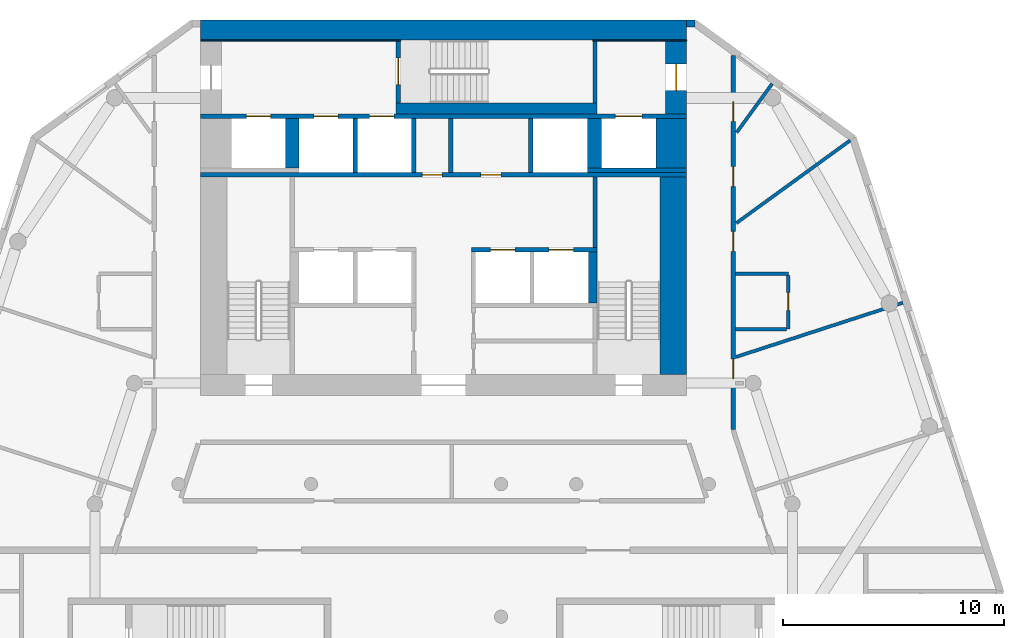
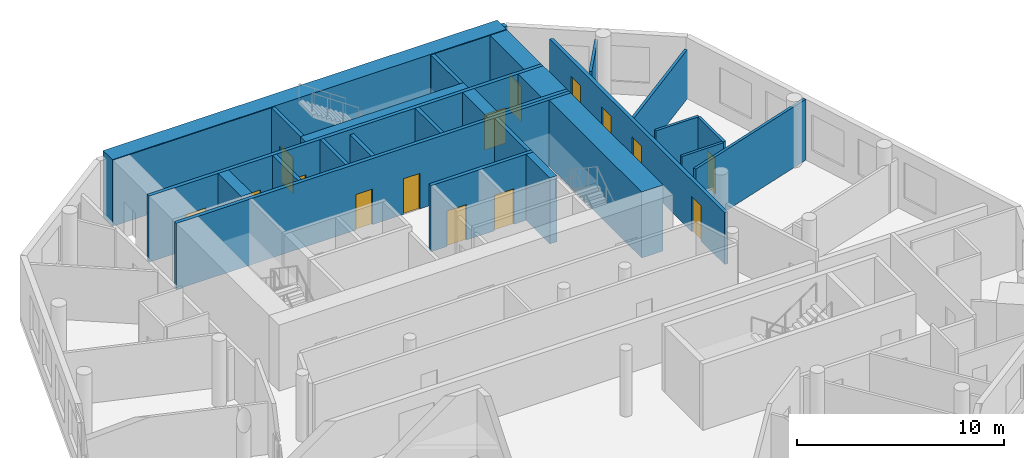
# One storey, part 6 of 9: 29 walls, 15 doors, 15 openings.
"""IFC4 building model written with IfcOpenShell, lengths in metres."""

from ifc_helpers import new_model, si_unit, direction, frame, frame_2d, origin, place, context, subcontext, project, spatial, rectangle, extrude, material, layer, layer_set, type_object, element, fill, save


model = new_model("IFC4")

# Units and contexts
model_context = context("Model", 3, precision=1e-05, world=origin(), true_north=direction((0.0, 1.0)))
body_context = subcontext(model_context, "Body", "Model", "MODEL_VIEW")
ifc_project = project(units=[si_unit("LENGTHUNIT", "METRE"), si_unit("AREAUNIT", "SQUARE_METRE"), si_unit("VOLUMEUNIT", "CUBIC_METRE"), si_unit("PLANEANGLEUNIT", "RADIAN"), si_unit("MASSUNIT", "GRAM", prefix="KILO")], contexts=[model_context])

# Site, building, storey
site_placement = place(None, origin())
site = spatial("IfcSite", under=ifc_project, at=site_placement, CompositionType="ELEMENT")
building_placement = place(site_placement, origin())
building = spatial("IfcBuilding", under=site, at=building_placement, Name="White Candle Pilgrim Tower", CompositionType="ELEMENT")
storey_placement = place(building_placement, frame((0.0, 0.0, 168.10009765625)))
storey = spatial("IfcBuildingStorey", under=building, at=storey_placement, Name="L38", CompositionType="ELEMENT", Elevation=168.10009765625)

# Walls
ifc_material_1 = material(Name="Concrete C60/75", Category="concrete")
ifc_layer_1 = layer(ifc_material_1, 1.39990234375)
ifc_layer_set_1 = layer_set([ifc_layer_1], Name="Core wall 1400 mm Concrete C60/75")
wall_type_1 = type_object("IfcWallType", Name="Core wall 1400 mm Concrete C60/75", PredefinedType="SHEAR", material=ifc_layer_set_1)
wall_1_placement = place(storey_placement, frame((80.300048828125, 81.300048828125, 0.0), z_axis=(0.0, 0.0, 1.0), x_axis=(0.0, 1.0, 0.0)))
element("IfcWall", 1, at=wall_1_placement, inside=storey, type_object=wall_type_1, Name="WL-L38-C43", PredefinedType="SHEAR", context=body_context, shape_type="SweptSolid", body=[
    extrude(rectangle(XDim=2.25, YDim=1.39990234375, at=frame_2d((1.125, 0.0))), origin(), (0.0, 0.0, 1.0), 3.89990234375),
])
ifc_layer_2 = layer(ifc_material_1, 0.199951171875)
ifc_layer_set_2 = layer_set([ifc_layer_2], Name="Core wall 200 mm Concrete C60/75")
wall_type_2 = type_object("IfcWallType", Name="Core wall 200 mm Concrete C60/75", PredefinedType="SHEAR", material=ifc_layer_set_2)
wall_2_placement = place(storey_placement, frame((76.5, 81.199951171875, 0.0), z_axis=(0.0, 0.0, 1.0), x_axis=(1.0, 0.0, 0.0)))
element("IfcWall", 2, at=wall_2_placement, inside=storey, type_object=wall_type_2, Name="WL-L38-C39", PredefinedType="SHEAR", context=body_context, shape_type="SweptSolid", body=[
    extrude(rectangle(XDim=4.5, YDim=0.199951171875, at=frame_2d((2.25, 0.0))), origin(), (0.0, 0.0, 1.0), 3.89990234375),
])

# Wall, openings, doors
wall_3_placement = place(storey_placement, frame((59.0, 83.64990234375, 0.0), z_axis=(0.0, 0.0, 1.0), x_axis=(1.0, 0.0, 0.0)))
wall_3 = element("IfcWall", 3, at=wall_3_placement, inside=storey, type_object=wall_type_2, Name="WL-L38-C44", PredefinedType="SHEAR", context=body_context, shape_type="SweptSolid", body=[
    extrude(rectangle(XDim=22.0, YDim=0.199951171875, at=frame_2d((11.0, 0.0))), origin(), (0.0, 0.0, 1.0), 3.89990234375),
])
opening_1_placement = place(wall_3_placement, frame((5.125, 0.0, 0.0)))
opening_1 = element("IfcOpeningElement", 4, at=opening_1_placement, cuts=wall_3, Name="Opening T11-018", PredefinedType="OPENING", context=body_context, shape_type="SweptSolid", body=[
    extrude(rectangle(XDim=1.10009765625, YDim=2.10009765625, at=frame_2d((0.550048828125, 1.050048828125))), frame((0.0, 0.10986328125, 0.0), z_axis=(0.0, -1.0, 0.0), x_axis=(1.0, 0.0, 0.0)), (0.0, 0.0, 1.0), 0.219970703125),
])
opening_2_placement = place(wall_3_placement, frame((7.64990234375, 0.0, 0.0)))
opening_2 = element("IfcOpeningElement", 5, at=opening_2_placement, cuts=wall_3, Name="Opening T11-019", PredefinedType="OPENING", context=body_context, shape_type="SweptSolid", body=[
    extrude(rectangle(XDim=1.10009765625, YDim=2.10009765625, at=frame_2d((0.550048828125, 1.050048828125))), frame((0.0, 0.10986328125, 0.0), z_axis=(0.0, -1.0, 0.0), x_axis=(1.0, 0.0, 0.0)), (0.0, 0.0, 1.0), 0.219970703125),
])
opening_3_placement = place(wall_3_placement, frame((18.77490234375, 0.0, 0.0)))
opening_3 = element("IfcOpeningElement", 6, at=opening_3_placement, cuts=wall_3, Name="Opening T11-020", PredefinedType="OPENING", context=body_context, shape_type="SweptSolid", body=[
    extrude(rectangle(XDim=1.199951171875, YDim=2.10009765625, at=frame_2d((0.60009765625, 1.050048828125))), frame((0.0, 0.10986328125, 0.0), z_axis=(0.0, -1.0, 0.0), x_axis=(1.0, 0.0, 0.0)), (0.0, 0.0, 1.0), 0.219970703125),
])
opening_4_placement = place(wall_3_placement, frame((2.074951171875, 0.0, 0.0)))
opening_4 = element("IfcOpeningElement", 7, at=opening_4_placement, cuts=wall_3, Name="Opening T11-021", PredefinedType="OPENING", context=body_context, shape_type="SweptSolid", body=[
    extrude(rectangle(XDim=1.10009765625, YDim=2.10009765625, at=frame_2d((0.550048828125, 1.050048828125))), frame((0.0, 0.10986328125, 0.0), z_axis=(0.0, -1.0, 0.0), x_axis=(1.0, 0.0, 0.0)), (0.0, 0.0, 1.0), 0.219970703125),
])
ifc_material_2 = material(Name="Stainless steel", Category="steel")
door_type_1 = type_object("IfcDoorType", Name="Lift landing door 1100 x 2100 EI 60", OperationType="DOUBLE_DOOR_SLIDING", PredefinedType="DOOR", material=ifc_material_2)
door_1_placement = place(opening_1_placement, origin())
door_1 = element("IfcDoor", 8, at=door_1_placement, inside=storey, type_object=door_type_1, Name="Door T11-018", OperationType="DOUBLE_DOOR_SLIDING", OverallHeight=2.10009765625, OverallWidth=1.10009765625, PredefinedType="DOOR", context=body_context, shape_type="SweptSolid", body=[
    extrude(rectangle(XDim=1.10009765625, YDim=2.10009765625, at=frame_2d((0.550048828125, 1.050048828125))), frame((0.0, 0.02490234375, 0.0), z_axis=(0.0, -1.0, 0.0), x_axis=(1.0, 0.0, 0.0)), (0.0, 0.0, 1.0), 0.050048828125),
])
fill(opening_1, door_1)
door_2_placement = place(opening_2_placement, origin())
door_2 = element("IfcDoor", 9, at=door_2_placement, inside=storey, type_object=door_type_1, Name="Door T11-019", OperationType="DOUBLE_DOOR_SLIDING", OverallHeight=2.10009765625, OverallWidth=1.10009765625, PredefinedType="DOOR", context=body_context, shape_type="SweptSolid", body=[
    extrude(rectangle(XDim=1.10009765625, YDim=2.10009765625, at=frame_2d((0.550048828125, 1.050048828125))), frame((0.0, 0.02490234375, 0.0), z_axis=(0.0, -1.0, 0.0), x_axis=(1.0, 0.0, 0.0)), (0.0, 0.0, 1.0), 0.050048828125),
])
fill(opening_2, door_2)
door_3_placement = place(opening_4_placement, origin())
door_3 = element("IfcDoor", 10, at=door_3_placement, inside=storey, type_object=door_type_1, Name="Door T11-021", OperationType="DOUBLE_DOOR_SLIDING", OverallHeight=2.10009765625, OverallWidth=1.10009765625, PredefinedType="DOOR", context=body_context, shape_type="SweptSolid", body=[
    extrude(rectangle(XDim=1.10009765625, YDim=2.10009765625, at=frame_2d((0.550048828125, 1.050048828125))), frame((0.0, 0.02490234375, 0.0), z_axis=(0.0, -1.0, 0.0), x_axis=(1.0, 0.0, 0.0)), (0.0, 0.0, 1.0), 0.050048828125),
])
fill(opening_4, door_3)
door_type_2 = type_object("IfcDoorType", Name="Lift landing door 1200 x 2100 E 60", OperationType="DOUBLE_DOOR_SLIDING", PredefinedType="DOOR", material=ifc_material_2)
door_4_placement = place(opening_3_placement, origin())
door_4 = element("IfcDoor", 11, at=door_4_placement, inside=storey, type_object=door_type_2, Name="Door T11-020", OperationType="DOUBLE_DOOR_SLIDING", OverallHeight=2.10009765625, OverallWidth=1.199951171875, PredefinedType="DOOR", context=body_context, shape_type="SweptSolid", body=[
    extrude(rectangle(XDim=1.199951171875, YDim=2.10009765625, at=frame_2d((0.60009765625, 1.050048828125))), frame((0.0, 0.02490234375, 0.0), z_axis=(0.0, -1.0, 0.0), x_axis=(1.0, 0.0, 0.0)), (0.0, 0.0, 1.0), 0.050048828125),
])
fill(opening_3, door_4)

# Wall, opening, door
ifc_layer_3 = layer(ifc_material_1, 0.949951171875)
ifc_layer_set_3 = layer_set([ifc_layer_3], Name="Core wall 950 mm Concrete C60/75")
wall_type_3 = type_object("IfcWallType", Name="Core wall 950 mm Concrete C60/75", PredefinedType="SHEAR", material=ifc_layer_set_3)
wall_4_placement = place(storey_placement, frame((80.52490234375, 83.75, 0.0), z_axis=(0.0, 0.0, 1.0), x_axis=(0.0, 1.0, 0.0)))
wall_4 = element("IfcWall", 12, at=wall_4_placement, inside=storey, type_object=wall_type_3, Name="WL-L38-C47", PredefinedType="SHEAR", context=body_context, shape_type="SweptSolid", body=[
    extrude(rectangle(XDim=3.300048828125, YDim=0.949951171875, at=frame_2d((1.64990234375, 0.0))), origin(), (0.0, 0.0, 1.0), 3.89990234375),
])
opening_5_placement = place(wall_4_placement, frame((1.050048828125, 0.0, 0.0)))
opening_5 = element("IfcOpeningElement", 13, at=opening_5_placement, cuts=wall_4, Name="Opening T11-009", PredefinedType="OPENING", context=body_context, shape_type="SweptSolid", body=[
    extrude(rectangle(XDim=1.199951171875, YDim=2.10009765625, at=frame_2d((0.60009765625, 1.050048828125))), frame((0.0, 0.48486328125, 0.0), z_axis=(0.0, -1.0, 0.0), x_axis=(1.0, 0.0, 0.0)), (0.0, 0.0, 1.0), 0.969970703125),
])
ifc_material_3 = material(Name="Steel door leaf", Category="steel")
door_type_3 = type_object("IfcDoorType", Name="Fire door 1200 x 2100 EI 30", OperationType="NOTDEFINED", PredefinedType="DOOR", material=ifc_material_3)
door_5_placement = place(opening_5_placement, origin())
door_5 = element("IfcDoor", 14, at=door_5_placement, inside=storey, type_object=door_type_3, Name="Door T11-009", OperationType="SINGLE_SWING_LEFT", OverallHeight=2.10009765625, OverallWidth=1.199951171875, PredefinedType="DOOR", context=body_context, shape_type="SweptSolid", body=[
    extrude(rectangle(XDim=1.199951171875, YDim=2.10009765625, at=frame_2d((0.60009765625, 1.050048828125))), frame((0.0, 0.02490234375, 0.0), z_axis=(0.0, -1.0, 0.0), x_axis=(1.0, 0.0, 0.0)), (0.0, 0.0, 1.0), 0.050048828125),
])
fill(opening_5, door_5)

# Wall, openings, doors
ifc_material_4 = material(Name="Gypsum board on steel studs", Category="steel")
ifc_layer_4 = layer(ifc_material_4, 0.199951171875)
ifc_layer_set_4 = layer_set([ifc_layer_4], Name="Corridor wall 200 mm EI 45")
wall_type_4 = type_object("IfcWallType", Name="Corridor wall 200 mm EI 45", PredefinedType="PARTITIONING", material=ifc_layer_set_4)
wall_5_placement = place(storey_placement, frame((83.10009765625, 86.396240234375, 0.0), z_axis=(0.0, 0.0, 1.0), x_axis=(0.0, -1.0, 0.0)))
wall_5 = element("IfcWall", 15, at=wall_5_placement, inside=storey, type_object=wall_type_4, Name="WL-L38-P004", PredefinedType="PARTITIONING", context=body_context, shape_type="SweptSolid", body=[
    extrude(rectangle(XDim=16.92333984375, YDim=0.199951171875, at=frame_2d((8.461669921875, 0.0))), origin(), (0.0, 0.0, 1.0), 3.0498046875),
])
opening_6_placement = place(wall_5_placement, frame((2.08837890625, 0.0, 0.0)))
opening_6 = element("IfcOpeningElement", 16, at=opening_6_placement, cuts=wall_5, Name="Opening T11-129", PredefinedType="OPENING", context=body_context, shape_type="SweptSolid", body=[
    extrude(rectangle(XDim=0.89990234375, YDim=2.10009765625, at=frame_2d((0.449951171875, 1.050048828125))), frame((0.0, 0.10986328125, 0.0), z_axis=(0.0, -1.0, 0.0), x_axis=(1.0, 0.0, 0.0)), (0.0, 0.0, 1.0), 0.219970703125),
])
opening_7_placement = place(wall_5_placement, frame((5.03369140625, 0.0, 0.0)))
opening_7 = element("IfcOpeningElement", 17, at=opening_7_placement, cuts=wall_5, Name="Opening T11-130", PredefinedType="OPENING", context=body_context, shape_type="SweptSolid", body=[
    extrude(rectangle(XDim=0.89990234375, YDim=2.10009765625, at=frame_2d((0.449951171875, 1.050048828125))), frame((0.0, 0.10986328125, 0.0), z_axis=(0.0, -1.0, 0.0), x_axis=(1.0, 0.0, 0.0)), (0.0, 0.0, 1.0), 0.219970703125),
])
opening_8_placement = place(wall_5_placement, frame((7.96044921875, 0.0, 0.0)))
opening_8 = element("IfcOpeningElement", 18, at=opening_8_placement, cuts=wall_5, Name="Opening T11-131", PredefinedType="OPENING", context=body_context, shape_type="SweptSolid", body=[
    extrude(rectangle(XDim=0.89990234375, YDim=2.10009765625, at=frame_2d((0.449951171875, 1.050048828125))), frame((0.0, 0.10986328125, 0.0), z_axis=(0.0, -1.0, 0.0), x_axis=(1.0, 0.0, 0.0)), (0.0, 0.0, 1.0), 0.219970703125),
])
opening_9_placement = place(wall_5_placement, frame((13.72705078125, 0.0, 0.0)))
opening_9 = element("IfcOpeningElement", 19, at=opening_9_placement, cuts=wall_5, Name="Opening T11-132", PredefinedType="OPENING", context=body_context, shape_type="SweptSolid", body=[
    extrude(rectangle(XDim=0.89990234375, YDim=2.10009765625, at=frame_2d((0.449951171875, 1.050048828125))), frame((0.0, 0.10986328125, 0.0), z_axis=(0.0, -1.0, 0.0), x_axis=(1.0, 0.0, 0.0)), (0.0, 0.0, 1.0), 0.219970703125),
])
door_type_4 = type_object("IfcDoorType", Name="Fire door 900 x 2100 EI 30", OperationType="NOTDEFINED", PredefinedType="DOOR", material=ifc_material_3)
door_6_placement = place(opening_6_placement, origin())
door_6 = element("IfcDoor", 20, at=door_6_placement, inside=storey, type_object=door_type_4, Name="Door T11-129", OperationType="SINGLE_SWING_LEFT", OverallHeight=2.10009765625, OverallWidth=0.89990234375, PredefinedType="DOOR", context=body_context, shape_type="SweptSolid", body=[
    extrude(rectangle(XDim=0.89990234375, YDim=2.10009765625, at=frame_2d((0.449951171875, 1.050048828125))), frame((0.0, 0.02490234375, 0.0), z_axis=(0.0, -1.0, 0.0), x_axis=(1.0, 0.0, 0.0)), (0.0, 0.0, 1.0), 0.050048828125),
])
fill(opening_6, door_6)
door_7_placement = place(opening_7_placement, origin())
door_7 = element("IfcDoor", 21, at=door_7_placement, inside=storey, type_object=door_type_4, Name="Door T11-130", OperationType="SINGLE_SWING_RIGHT", OverallHeight=2.10009765625, OverallWidth=0.89990234375, PredefinedType="DOOR", context=body_context, shape_type="SweptSolid", body=[
    extrude(rectangle(XDim=0.89990234375, YDim=2.10009765625, at=frame_2d((0.449951171875, 1.050048828125))), frame((0.0, 0.02490234375, 0.0), z_axis=(0.0, -1.0, 0.0), x_axis=(1.0, 0.0, 0.0)), (0.0, 0.0, 1.0), 0.050048828125),
])
fill(opening_7, door_7)
door_8_placement = place(opening_8_placement, origin())
door_8 = element("IfcDoor", 22, at=door_8_placement, inside=storey, type_object=door_type_4, Name="Door T11-131", OperationType="SINGLE_SWING_LEFT", OverallHeight=2.10009765625, OverallWidth=0.89990234375, PredefinedType="DOOR", context=body_context, shape_type="SweptSolid", body=[
    extrude(rectangle(XDim=0.89990234375, YDim=2.10009765625, at=frame_2d((0.449951171875, 1.050048828125))), frame((0.0, 0.02490234375, 0.0), z_axis=(0.0, -1.0, 0.0), x_axis=(1.0, 0.0, 0.0)), (0.0, 0.0, 1.0), 0.050048828125),
])
fill(opening_8, door_8)
door_9_placement = place(opening_9_placement, origin())
door_9 = element("IfcDoor", 23, at=door_9_placement, inside=storey, type_object=door_type_4, Name="Door T11-132", OperationType="SINGLE_SWING_LEFT", OverallHeight=2.10009765625, OverallWidth=0.89990234375, PredefinedType="DOOR", context=body_context, shape_type="SweptSolid", body=[
    extrude(rectangle(XDim=0.89990234375, YDim=2.10009765625, at=frame_2d((0.449951171875, 1.050048828125))), frame((0.0, 0.02490234375, 0.0), z_axis=(0.0, -1.0, 0.0), x_axis=(1.0, 0.0, 0.0)), (0.0, 0.0, 1.0), 0.050048828125),
])
fill(opening_9, door_9)

# Walls
ifc_material_5 = material(Name="Precast concrete C40/50", Category="concrete")
ifc_layer_5 = layer(ifc_material_5, 0.320068359375)
ifc_layer_set_5 = layer_set([ifc_layer_5], Name="Facade wall EW1 precast concrete C40/50 pier wall with timber-lined reveals")
wall_type_5 = type_object("IfcWallType", Name="Facade wall EW1 precast concrete C40/50 pier wall with timber-lined reveals", PredefinedType="SOLIDWALL", material=ifc_layer_set_5)
wall_6_placement = place(storey_placement, frame((81.385009765625, 87.840087890625, 0.0), z_axis=(0.0, 0.0, 1.0), x_axis=(-1.0, 0.0, 0.0)))
element("IfcWall", 24, at=wall_6_placement, inside=storey, type_object=wall_type_5, Name="Facade wall L38 N", PredefinedType="SOLIDWALL", context=body_context, shape_type="SweptSolid", body=[
    extrude(rectangle(XDim=0.385009765625, YDim=0.320068359375, at=frame_2d((0.1923828125, 0.0))), origin(), (0.0, 0.0, 1.0), 3.599853515625),
])
ifc_layer_6 = layer(ifc_material_4, 0.199951171875)
ifc_layer_set_6 = layer_set([ifc_layer_6], Name="Lobby wall 200 mm EI 60")
wall_type_6 = type_object("IfcWallType", Name="Lobby wall 200 mm EI 60", PredefinedType="PARTITIONING", material=ifc_layer_set_6)
wall_7_placement = place(storey_placement, frame((70.320068359375, 81.10009765625, 0.0), z_axis=(0.0, 0.0, 1.0), x_axis=(0.0, 1.0, 0.0)))
element("IfcWall", 25, at=wall_7_placement, inside=storey, type_object=wall_type_6, Name="WL-L38-C37", PredefinedType="PARTITIONING", context=body_context, shape_type="SweptSolid", body=[
    extrude(rectangle(XDim=2.449951171875, YDim=0.199951171875, at=frame_2d((1.22509765625, 0.0))), origin(), (0.0, 0.0, 1.0), 3.599853515625),
])
ifc_layer_7 = layer(ifc_material_4, 0.14990234375)
ifc_layer_set_7 = layer_set([ifc_layer_7], Name="Partition 150 mm EI 60")
wall_type_7 = type_object("IfcWallType", Name="Partition 150 mm EI 60", PredefinedType="PARTITIONING", material=ifc_layer_set_7)
wall_8_placement = place(storey_placement, frame((88.392822265625, 82.55078125, 0.0), z_axis=(0.0, 0.0, 1.0), x_axis=(-0.809018004504, -0.587783861966, 0.0)))
element("IfcWall", 26, at=wall_8_placement, inside=storey, type_object=wall_type_7, Name="WL-L38-P024", PredefinedType="PARTITIONING", context=body_context, shape_type="SweptSolid", body=[
    extrude(rectangle(XDim=6.364013671875, YDim=0.14990234375, at=frame_2d((3.18212890625, 0.0))), origin(), (0.0, 0.0, 1.0), 2.89990234375),
])
wall_9_placement = place(storey_placement, frame((90.77880859375, 75.207763671875, 0.0), z_axis=(0.0, 0.0, 1.0), x_axis=(-0.951053036923, -0.309027702575, 0.0)))
element("IfcWall", 27, at=wall_9_placement, inside=storey, type_object=wall_type_7, Name="WL-L38-P050", PredefinedType="PARTITIONING", context=body_context, shape_type="SweptSolid", body=[
    extrude(rectangle(XDim=7.944580078125, YDim=0.14990234375, at=frame_2d((3.97216796875, 0.0))), origin(), (0.0, 0.0, 1.0), 3.599853515625),
])
wall_10_placement = place(storey_placement, frame((83.199951171875, 76.5126953125, 0.0), z_axis=(0.0, 0.0, 1.0), x_axis=(1.0, 0.0, 0.0)))
element("IfcWall", 28, at=wall_10_placement, inside=storey, type_object=wall_type_7, Name="WL-L38-P051", PredefinedType="PARTITIONING", context=body_context, shape_type="SweptSolid", body=[
    extrude(rectangle(XDim=2.400146484375, YDim=0.14990234375, at=frame_2d((1.2001953125, 0.0))), origin(), (0.0, 0.0, 1.0), 3.599853515625),
])

# Wall, opening, door
wall_11_placement = place(storey_placement, frame((85.60009765625, 74.0126953125, 0.0), z_axis=(0.0, 0.0, 1.0), x_axis=(0.0, 1.0, 0.0)))
wall_11 = element("IfcWall", 29, at=wall_11_placement, inside=storey, type_object=wall_type_7, Name="WL-L38-P052", PredefinedType="PARTITIONING", context=body_context, shape_type="SweptSolid", body=[
    extrude(rectangle(XDim=2.425048828125, YDim=0.14990234375, at=frame_2d((1.21240234375, 0.0))), origin(), (0.0, 0.0, 1.0), 3.599853515625),
])
opening_10_placement = place(wall_11_placement, frame((0.85009765625, 0.0, 0.0)))
opening_10 = element("IfcOpeningElement", 30, at=opening_10_placement, cuts=wall_11, Name="Opening T11-119", PredefinedType="OPENING", context=body_context, shape_type="SweptSolid", body=[
    extrude(rectangle(XDim=0.800048828125, YDim=2.10009765625, at=frame_2d((0.39990234375, 1.050048828125))), frame((0.0, 0.0849609375, 0.0), z_axis=(0.0, -1.0, 0.0), x_axis=(1.0, 0.0, 0.0)), (0.0, 0.0, 1.0), 0.169921875),
])
door_type_5 = type_object("IfcDoorType", Name="Fire door 800 x 2100 EI 30", OperationType="NOTDEFINED", PredefinedType="DOOR", material=ifc_material_3)
door_10_placement = place(opening_10_placement, frame((0.800048828125, 0.0, 0.0), z_axis=(0.0, 0.0, 1.0), x_axis=(-1.0, 0.0, 0.0)))
door_10 = element("IfcDoor", 31, at=door_10_placement, inside=storey, type_object=door_type_5, Name="Door T11-119", OperationType="SINGLE_SWING_RIGHT", OverallHeight=2.10009765625, OverallWidth=0.800048828125, PredefinedType="DOOR", context=body_context, shape_type="SweptSolid", body=[
    extrude(rectangle(XDim=0.800048828125, YDim=2.10009765625, at=frame_2d((0.39990234375, 1.050048828125))), frame((0.0, 0.02490234375, 0.0), z_axis=(0.0, -1.0, 0.0), x_axis=(1.0, 0.0, 0.0)), (0.0, 0.0, 1.0), 0.050048828125),
])
fill(opening_10, door_10)

# Walls
wall_12_placement = place(storey_placement, frame((83.199951171875, 74.0126953125, 0.0), z_axis=(0.0, 0.0, 1.0), x_axis=(1.0, 0.0, 0.0)))
element("IfcWall", 32, at=wall_12_placement, inside=storey, type_object=wall_type_7, Name="WL-L38-P053", PredefinedType="PARTITIONING", context=body_context, shape_type="SweptSolid", body=[
    extrude(rectangle(XDim=2.324951171875, YDim=0.14990234375, at=frame_2d((1.16259765625, 0.0))), origin(), (0.0, 0.0, 1.0), 3.599853515625),
])
wall_13_placement = place(storey_placement, frame((84.86279296875, 85.115478515625, 0.0), z_axis=(0.0, 0.0, 1.0), x_axis=(-0.587734915063, -0.809053564121, 0.0)))
element("IfcWall", 33, at=wall_13_placement, inside=storey, type_object=wall_type_7, Name="WL-L38-P054", PredefinedType="PARTITIONING", context=body_context, shape_type="SweptSolid", body=[
    extrude(rectangle(XDim=2.725830078125, YDim=0.14990234375, at=frame_2d((1.36279296875, 0.0))), origin(), (0.0, 0.0, 1.0), 3.14990234375),
])
ifc_layer_8 = layer(ifc_material_1, 0.199951171875)
ifc_layer_set_8 = layer_set([ifc_layer_8], Name="Shaft wall 200 mm Concrete C60/75")
wall_type_8 = type_object("IfcWallType", Name="Shaft wall 200 mm Concrete C60/75", PredefinedType="SHEAR", material=ifc_layer_set_8)
for number, where, z_axis, x_axis, name in (
    (34, (66.0, 81.10009765625, 0.0), (0.0, 0.0, 1.0), (0.0, 1.0, 0.0), "WL-L38-C35"),
    (35, (68.64990234375, 81.10009765625, 0.0), (0.0, 0.0, 1.0), (0.0, 1.0, 0.0), "WL-L38-C36"),
    (36, (73.949951171875, 81.10009765625, 0.0), (0.0, 0.0, 1.0), (0.0, 1.0, 0.0), "WL-L38-C38"),
):
    element("IfcWall", number, at=place(storey_placement, frame(where, z_axis=z_axis, x_axis=x_axis)), inside=storey, type_object=wall_type_8, Name=name, PredefinedType="SHEAR", context=body_context, shape_type="SweptSolid", body=[
        extrude(rectangle(XDim=2.449951171875, YDim=0.199951171875, at=frame_2d((1.22509765625, 0.0))), origin(), (0.0, 0.0, 1.0), 3.89990234375),
    ])
ifc_layer_9 = layer(ifc_material_1, 0.60009765625)
ifc_layer_set_9 = layer_set([ifc_layer_9], Name="Shaft wall 600 mm Concrete C60/75")
wall_type_9 = type_object("IfcWallType", Name="Shaft wall 600 mm Concrete C60/75", PredefinedType="SHEAR", material=ifc_layer_set_9)
wall_14_placement = place(storey_placement, frame((63.14990234375, 81.300048828125, 0.0), z_axis=(0.0, 0.0, 1.0), x_axis=(0.0, 1.0, 0.0)))
element("IfcWall", 37, at=wall_14_placement, inside=storey, type_object=wall_type_9, Name="WL-L38-C41", PredefinedType="SHEAR", context=body_context, shape_type="SweptSolid", body=[
    extrude(rectangle(XDim=2.25, YDim=0.60009765625, at=frame_2d((1.125, 0.0))), origin(), (0.0, 0.0, 1.0), 3.89990234375),
])
ifc_layer_10 = layer(ifc_material_1, 0.64990234375)
ifc_layer_set_10 = layer_set([ifc_layer_10], Name="Shaft wall 650 mm Concrete C60/75")
wall_type_10 = type_object("IfcWallType", Name="Shaft wall 650 mm Concrete C60/75", PredefinedType="SHEAR", material=ifc_layer_set_10)
wall_15_placement = place(storey_placement, frame((76.824951171875, 81.300048828125, 0.0), z_axis=(0.0, 0.0, 1.0), x_axis=(0.0, 1.0, 0.0)))
element("IfcWall", 38, at=wall_15_placement, inside=storey, type_object=wall_type_10, Name="WL-L38-C42", PredefinedType="SHEAR", context=body_context, shape_type="SweptSolid", body=[
    extrude(rectangle(XDim=2.25, YDim=0.64990234375, at=frame_2d((1.125, 0.0))), origin(), (0.0, 0.0, 1.0), 3.89990234375),
])
ifc_layer_11 = layer(ifc_material_1, 1.199951171875)
ifc_layer_set_11 = layer_set([ifc_layer_11], Name="Stair shaft wall 1200 mm Concrete C60/75")
wall_type_11 = type_object("IfcWallType", Name="Stair shaft wall 1200 mm Concrete C60/75", PredefinedType="SHEAR", material=ifc_layer_set_11)
wall_16_placement = place(storey_placement, frame((80.39990234375, 71.949951171875, 0.0), z_axis=(0.0, 0.0, 1.0), x_axis=(0.0, 1.0, 0.0)))
element("IfcWall", 39, at=wall_16_placement, inside=storey, type_object=wall_type_11, Name="WL-L38-C17", PredefinedType="SHEAR", context=body_context, shape_type="SweptSolid", body=[
    extrude(rectangle(XDim=8.949951171875, YDim=1.199951171875, at=frame_2d((4.47509765625, 0.0))), origin(), (0.0, 0.0, 1.0), 3.89990234375),
])

# Wall, openings, doors
ifc_layer_12 = layer(ifc_material_1, 0.199951171875)
ifc_layer_set_12 = layer_set([ifc_layer_12], Name="Stair shaft wall 200 mm Concrete C60/75")
wall_type_12 = type_object("IfcWallType", Name="Stair shaft wall 200 mm Concrete C60/75", PredefinedType="SHEAR", material=ifc_layer_set_12)
wall_17_placement = place(storey_placement, frame((71.25, 77.60009765625, 0.0), z_axis=(0.0, 0.0, 1.0), x_axis=(1.0, 0.0, 0.0)))
wall_17 = element("IfcWall", 40, at=wall_17_placement, inside=storey, type_object=wall_type_12, Name="WL-L38-C30", PredefinedType="SHEAR", context=body_context, shape_type="SweptSolid", body=[
    extrude(rectangle(XDim=5.699951171875, YDim=0.199951171875, at=frame_2d((2.85009765625, 0.0))), origin(), (0.0, 0.0, 1.0), 3.89990234375),
])
opening_11_placement = place(wall_17_placement, frame((0.875, 0.0, 0.0)))
opening_11 = element("IfcOpeningElement", 41, at=opening_11_placement, cuts=wall_17, Name="Opening T11-016", PredefinedType="OPENING", context=body_context, shape_type="SweptSolid", body=[
    extrude(rectangle(XDim=1.10009765625, YDim=2.10009765625, at=frame_2d((0.550048828125, 1.050048828125))), frame((0.0, 0.10986328125, 0.0), z_axis=(0.0, -1.0, 0.0), x_axis=(1.0, 0.0, 0.0)), (0.0, 0.0, 1.0), 0.219970703125),
])
opening_12_placement = place(wall_17_placement, frame((3.52490234375, 0.0, 0.0)))
opening_12 = element("IfcOpeningElement", 42, at=opening_12_placement, cuts=wall_17, Name="Opening T11-017", PredefinedType="OPENING", context=body_context, shape_type="SweptSolid", body=[
    extrude(rectangle(XDim=1.10009765625, YDim=2.10009765625, at=frame_2d((0.550048828125, 1.050048828125))), frame((0.0, 0.10986328125, 0.0), z_axis=(0.0, -1.0, 0.0), x_axis=(1.0, 0.0, 0.0)), (0.0, 0.0, 1.0), 0.219970703125),
])
door_type_6 = type_object("IfcDoorType", Name="Lift landing door 1100 x 2100 E 60", OperationType="DOUBLE_DOOR_SLIDING", PredefinedType="DOOR", material=ifc_material_2)
door_11_placement = place(opening_11_placement, origin())
door_11 = element("IfcDoor", 43, at=door_11_placement, inside=storey, type_object=door_type_6, Name="Door T11-016", OperationType="DOUBLE_DOOR_SLIDING", OverallHeight=2.10009765625, OverallWidth=1.10009765625, PredefinedType="DOOR", context=body_context, shape_type="SweptSolid", body=[
    extrude(rectangle(XDim=1.10009765625, YDim=2.10009765625, at=frame_2d((0.550048828125, 1.050048828125))), frame((0.0, 0.02490234375, 0.0), z_axis=(0.0, -1.0, 0.0), x_axis=(1.0, 0.0, 0.0)), (0.0, 0.0, 1.0), 0.050048828125),
])
fill(opening_11, door_11)
door_12_placement = place(opening_12_placement, origin())
door_12 = element("IfcDoor", 44, at=door_12_placement, inside=storey, type_object=door_type_6, Name="Door T11-017", OperationType="DOUBLE_DOOR_SLIDING", OverallHeight=2.10009765625, OverallWidth=1.10009765625, PredefinedType="DOOR", context=body_context, shape_type="SweptSolid", body=[
    extrude(rectangle(XDim=1.10009765625, YDim=2.10009765625, at=frame_2d((0.550048828125, 1.050048828125))), frame((0.0, 0.02490234375, 0.0), z_axis=(0.0, -1.0, 0.0), x_axis=(1.0, 0.0, 0.0)), (0.0, 0.0, 1.0), 0.050048828125),
])
fill(opening_12, door_12)

# Wall
wall_18_placement = place(storey_placement, frame((76.85009765625, 77.699951171875, 0.0), z_axis=(0.0, 0.0, 1.0), x_axis=(0.0, 1.0, 0.0)))
element("IfcWall", 45, at=wall_18_placement, inside=storey, type_object=wall_type_12, Name="WL-L38-C32", PredefinedType="SHEAR", context=body_context, shape_type="SweptSolid", body=[
    extrude(rectangle(XDim=3.199951171875, YDim=0.199951171875, at=frame_2d((1.60009765625, 0.0))), origin(), (0.0, 0.0, 1.0), 3.89990234375),
])

# Wall, openings, doors
wall_19_placement = place(storey_placement, frame((59.0, 81.0, 0.0), z_axis=(0.0, 0.0, 1.0), x_axis=(1.0, 0.0, 0.0)))
wall_19 = element("IfcWall", 46, at=wall_19_placement, inside=storey, type_object=wall_type_12, Name="WL-L38-C33", PredefinedType="SHEAR", context=body_context, shape_type="SweptSolid", body=[
    extrude(rectangle(XDim=22.0, YDim=0.199951171875, at=frame_2d((11.0, 0.0))), origin(), (0.0, 0.0, 1.0), 3.89990234375),
])
opening_13_placement = place(wall_19_placement, frame((10.034912109375, 0.0, 0.0)))
opening_13 = element("IfcOpeningElement", 47, at=opening_13_placement, cuts=wall_19, Name="Opening T11-022", PredefinedType="OPENING", context=body_context, shape_type="SweptSolid", body=[
    extrude(rectangle(XDim=0.89990234375, YDim=2.10009765625, at=frame_2d((0.449951171875, 1.050048828125))), frame((0.0, 0.10986328125, 0.0), z_axis=(0.0, -1.0, 0.0), x_axis=(1.0, 0.0, 0.0)), (0.0, 0.0, 1.0), 0.219970703125),
])
opening_14_placement = place(wall_19_placement, frame((12.68505859375, 0.0, 0.0)))
opening_14 = element("IfcOpeningElement", 48, at=opening_14_placement, cuts=wall_19, Name="Opening T11-023", PredefinedType="OPENING", context=body_context, shape_type="SweptSolid", body=[
    extrude(rectangle(XDim=0.89990234375, YDim=2.10009765625, at=frame_2d((0.449951171875, 1.050048828125))), frame((0.0, 0.10986328125, 0.0), z_axis=(0.0, -1.0, 0.0), x_axis=(1.0, 0.0, 0.0)), (0.0, 0.0, 1.0), 0.219970703125),
])
door_13_placement = place(opening_13_placement, origin())
door_13 = element("IfcDoor", 49, at=door_13_placement, inside=storey, type_object=door_type_4, Name="Door T11-022", OperationType="SINGLE_SWING_RIGHT", OverallHeight=2.10009765625, OverallWidth=0.89990234375, PredefinedType="DOOR", context=body_context, shape_type="SweptSolid", body=[
    extrude(rectangle(XDim=0.89990234375, YDim=2.10009765625, at=frame_2d((0.449951171875, 1.050048828125))), frame((0.0, 0.02490234375, 0.0), z_axis=(0.0, -1.0, 0.0), x_axis=(1.0, 0.0, 0.0)), (0.0, 0.0, 1.0), 0.050048828125),
])
fill(opening_13, door_13)
door_14_placement = place(opening_14_placement, origin())
door_14 = element("IfcDoor", 50, at=door_14_placement, inside=storey, type_object=door_type_4, Name="Door T11-023", OperationType="SINGLE_SWING_LEFT", OverallHeight=2.10009765625, OverallWidth=0.89990234375, PredefinedType="DOOR", context=body_context, shape_type="SweptSolid", body=[
    extrude(rectangle(XDim=0.89990234375, YDim=2.10009765625, at=frame_2d((0.449951171875, 1.050048828125))), frame((0.0, 0.02490234375, 0.0), z_axis=(0.0, -1.0, 0.0), x_axis=(1.0, 0.0, 0.0)), (0.0, 0.0, 1.0), 0.050048828125),
])
fill(opening_14, door_14)

# Wall, opening, door
wall_20_placement = place(storey_placement, frame((67.949951171875, 84.25, 0.0), z_axis=(0.0, 0.0, 1.0), x_axis=(0.0, 1.0, 0.0)))
wall_20 = element("IfcWall", 51, at=wall_20_placement, inside=storey, type_object=wall_type_12, Name="WL-L38-C48", PredefinedType="SHEAR", context=body_context, shape_type="SweptSolid", body=[
    extrude(rectangle(XDim=2.800048828125, YDim=0.199951171875, at=frame_2d((1.39990234375, 0.0))), origin(), (0.0, 0.0, 1.0), 3.89990234375),
])
opening_15_placement = place(wall_20_placement, frame((0.824951171875, 0.0, 0.0)))
opening_15 = element("IfcOpeningElement", 52, at=opening_15_placement, cuts=wall_20, Name="Opening T11-003", PredefinedType="OPENING", context=body_context, shape_type="SweptSolid", body=[
    extrude(rectangle(XDim=1.199951171875, YDim=2.10009765625, at=frame_2d((0.60009765625, 1.050048828125))), frame((0.0, 0.10986328125, 0.0), z_axis=(0.0, -1.0, 0.0), x_axis=(1.0, 0.0, 0.0)), (0.0, 0.0, 1.0), 0.219970703125),
])
door_type_7 = type_object("IfcDoorType", Name="Fire door 1200 x 2100 EI 60", OperationType="NOTDEFINED", PredefinedType="DOOR", material=ifc_material_3)
door_15_placement = place(opening_15_placement, frame((1.199951171875, 0.0, 0.0), z_axis=(0.0, 0.0, 1.0), x_axis=(-1.0, 0.0, 0.0)))
door_15 = element("IfcDoor", 53, at=door_15_placement, inside=storey, type_object=door_type_7, Name="Door T11-003", OperationType="SINGLE_SWING_RIGHT", OverallHeight=2.10009765625, OverallWidth=1.199951171875, PredefinedType="DOOR", context=body_context, shape_type="SweptSolid", body=[
    extrude(rectangle(XDim=1.199951171875, YDim=2.10009765625, at=frame_2d((0.60009765625, 1.050048828125))), frame((0.0, 0.02490234375, 0.0), z_axis=(0.0, -1.0, 0.0), x_axis=(1.0, 0.0, 0.0)), (0.0, 0.0, 1.0), 0.050048828125),
])
fill(opening_15, door_15)

# Walls
wall_21_placement = place(storey_placement, frame((76.85009765625, 84.25, 0.0), z_axis=(0.0, 0.0, 1.0), x_axis=(0.0, 1.0, 0.0)))
element("IfcWall", 54, at=wall_21_placement, inside=storey, type_object=wall_type_12, Name="WL-L38-C49", PredefinedType="SHEAR", context=body_context, shape_type="SweptSolid", body=[
    extrude(rectangle(XDim=2.800048828125, YDim=0.199951171875, at=frame_2d((1.39990234375, 0.0))), origin(), (0.0, 0.0, 1.0), 3.89990234375),
])
ifc_layer_13 = layer(ifc_material_1, 0.39990234375)
ifc_layer_set_13 = layer_set([ifc_layer_13], Name="Stair shaft wall 400 mm Concrete C60/75")
wall_type_13 = type_object("IfcWallType", Name="Stair shaft wall 400 mm Concrete C60/75", PredefinedType="SHEAR", material=ifc_layer_set_13)
wall_22_placement = place(storey_placement, frame((76.75, 75.199951171875, 0.0), z_axis=(0.0, 0.0, 1.0), x_axis=(0.0, 1.0, 0.0)))
element("IfcWall", 55, at=wall_22_placement, inside=storey, type_object=wall_type_13, Name="WL-L38-C28", PredefinedType="SHEAR", context=body_context, shape_type="SweptSolid", body=[
    extrude(rectangle(XDim=2.300048828125, YDim=0.39990234375, at=frame_2d((1.14990234375, 0.0))), origin(), (0.0, 0.0, 1.0), 3.89990234375),
])
ifc_layer_14 = layer(ifc_material_1, 0.050048828125)
ifc_layer_set_14 = layer_set([ifc_layer_14], Name="Stair shaft wall 50 mm Concrete C60/75")
wall_type_14 = type_object("IfcWallType", Name="Stair shaft wall 50 mm Concrete C60/75", PredefinedType="SHEAR", material=ifc_layer_set_14)
wall_23_placement = place(storey_placement, frame((59.0, 87.074951171875, 0.0), z_axis=(0.0, 0.0, 1.0), x_axis=(1.0, 0.0, 0.0)))
element("IfcWall", 56, at=wall_23_placement, inside=storey, type_object=wall_type_14, Name="WL-L38-C50", PredefinedType="SHEAR", context=body_context, shape_type="SweptSolid", body=[
    extrude(rectangle(XDim=9.050048828125, YDim=0.050048828125, at=frame_2d((4.52490234375, 0.0))), origin(), (0.0, 0.0, 1.0), 3.89990234375),
])
wall_24_placement = place(storey_placement, frame((76.75, 87.074951171875, 0.0), z_axis=(0.0, 0.0, 1.0), x_axis=(1.0, 0.0, 0.0)))
element("IfcWall", 57, at=wall_24_placement, inside=storey, type_object=wall_type_14, Name="WL-L38-C51", PredefinedType="SHEAR", context=body_context, shape_type="SweptSolid", body=[
    extrude(rectangle(XDim=4.25, YDim=0.050048828125, at=frame_2d((2.125, 0.0))), origin(), (0.0, 0.0, 1.0), 3.89990234375),
])
ifc_layer_15 = layer(ifc_material_1, 0.5)
ifc_layer_set_15 = layer_set([ifc_layer_15], Name="Stair shaft wall 500 mm Concrete C60/75")
wall_type_15 = type_object("IfcWallType", Name="Stair shaft wall 500 mm Concrete C60/75", PredefinedType="SHEAR", material=ifc_layer_set_15)
wall_25_placement = place(storey_placement, frame((67.85009765625, 84.0, 0.0), z_axis=(0.0, 0.0, 1.0), x_axis=(1.0, 0.0, 0.0)))
element("IfcWall", 58, at=wall_25_placement, inside=storey, type_object=wall_type_15, Name="WL-L38-C46", PredefinedType="SHEAR", context=body_context, shape_type="SweptSolid", body=[
    extrude(rectangle(XDim=9.099853515625, YDim=0.5, at=frame_2d((4.5498046875, 0.0))), origin(), (0.0, 0.0, 1.0), 3.89990234375),
])
ifc_layer_16 = layer(ifc_material_1, 0.89990234375)
ifc_layer_set_16 = layer_set([ifc_layer_16], Name="Stair shaft wall 900 mm Concrete C60/75")
wall_type_16 = type_object("IfcWallType", Name="Stair shaft wall 900 mm Concrete C60/75", PredefinedType="SHEAR", material=ifc_layer_set_16)
wall_26_placement = place(storey_placement, frame((59.0, 87.550048828125, 0.0), z_axis=(0.0, 0.0, 1.0), x_axis=(1.0, 0.0, 0.0)))
element("IfcWall", 59, at=wall_26_placement, inside=storey, type_object=wall_type_16, Name="WL-L38-C52", PredefinedType="SHEAR", context=body_context, shape_type="SweptSolid", body=[
    extrude(rectangle(XDim=22.0, YDim=0.89990234375, at=frame_2d((11.0, 0.0))), origin(), (0.0, 0.0, 1.0), 3.89990234375),
])

save(model, "model.ifc")
